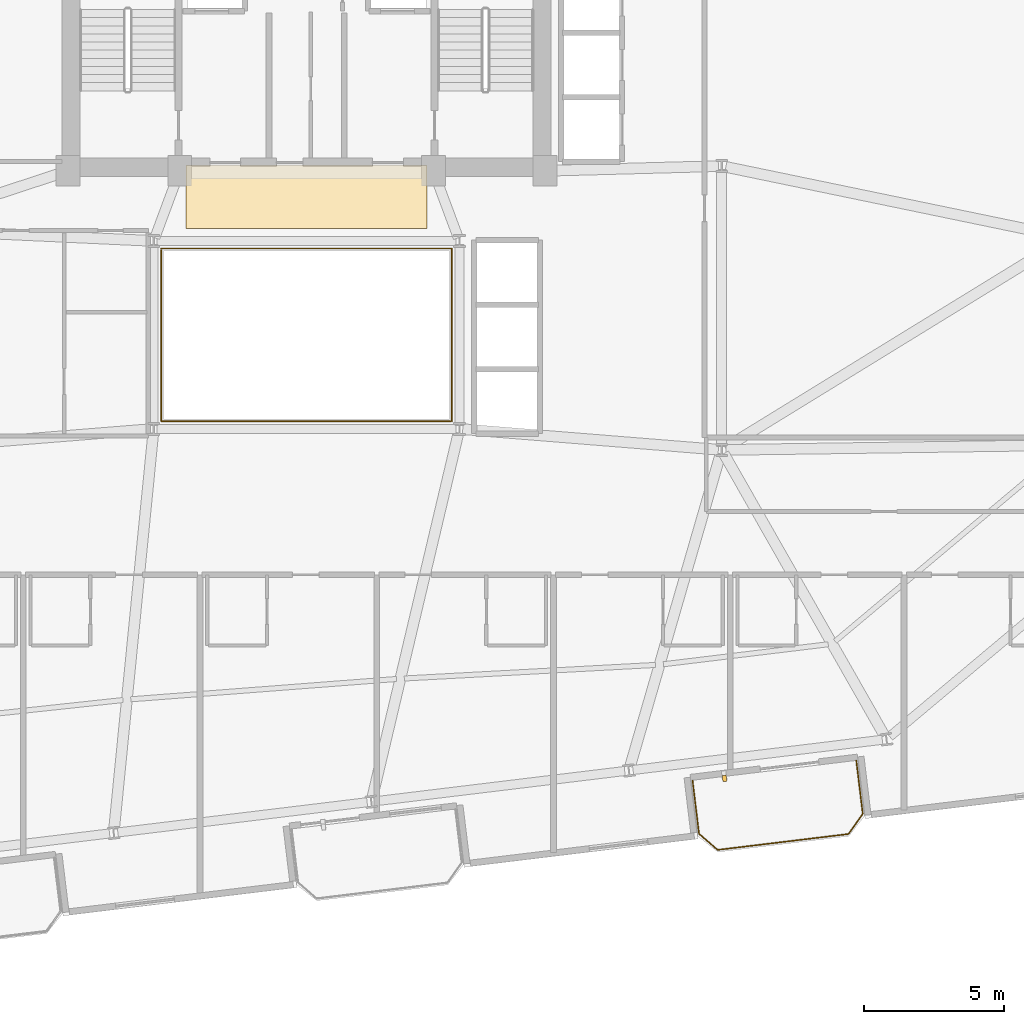
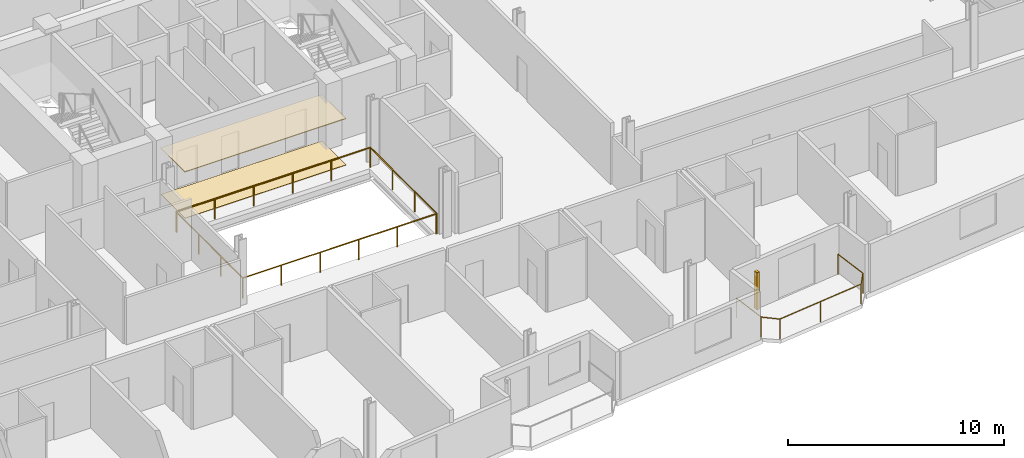
# One storey, part 21 of 23: 3 railings, 2 coverings, 1 shading device.
"""IFC4 building model written with IfcOpenShell, lengths in metres."""

import ifcopenshell
import ifcopenshell.guid

model = None  # the IFC model being written
_history = None  # IfcOwnerHistory: only IFC2X3 demands one
_inside = {}  # id of a spatial element -> (the spatial element, [elements in it])
_under = {}  # id of a project, library or spatial element -> (it, [spatial elements below it])
_declared = {}  # id of a project -> (the project, [libraries it declares])
_typed = {}  # id of a type object -> (the type object, [elements of that type])
_made_of = {}  # id of a material, layer set ... -> (it, [elements and type objects made of it])


def new_model(schema):
    """Start an empty IFC model of exactly this schema.

    Asked for "IFC4X3", IfcOpenShell would pick the latest addendum, in which some entities
    have other attributes; the version numbers below select the first issue.
    IFC2X3 requires an IfcOwnerHistory on every rooted entity: one is made here for all.
    """
    global model, _history
    if schema == "IFC4X3":
        model = ifcopenshell.file(schema_version=(4, 3, 0, 0))
    else:
        model = ifcopenshell.file(schema=schema)
    _inside.clear()
    _under.clear()
    _declared.clear()
    _typed.clear()
    _made_of.clear()
    _history = None
    if model.schema == "IFC2X3":
        org = make("IfcOrganization", Name="unknown")
        user = make(
            "IfcPersonAndOrganization",
            ThePerson=make("IfcPerson", FamilyName="unknown"),
            TheOrganization=org,
        )
        app = make(
            "IfcApplication",
            ApplicationDeveloper=org,
            Version="unknown",
            ApplicationFullName="unknown",
            ApplicationIdentifier="unknown",
        )
        _history = make(
            "IfcOwnerHistory",
            OwningUser=user,
            OwningApplication=app,
            ChangeAction="ADDED",
            CreationDate=0,
        )
    return model


def make(cls, **values):
    """One entity of the class cls with the attributes given. An attribute that is None is left unset."""
    return model.create_entity(
        cls, **{name: value for name, value in values.items() if value is not None}
    )


def rooted(cls, **values):
    """An entity with a GlobalId (a new one), such as an element, a storey or a relation."""
    return make(cls, GlobalId=ifcopenshell.guid.new(), OwnerHistory=_history, **values)


def si_unit(unit_type, name, prefix=None):
    """IfcSIUnit, for example si_unit("LENGTHUNIT", "METRE", prefix="MILLI")."""
    return make("IfcSIUnit", UnitType=unit_type, Prefix=prefix, Name=name)


def assignment(units):
    """IfcUnitAssignment: the units of a project."""
    return None if units is None else make("IfcUnitAssignment", Units=units)


def point(xyz):
    """IfcCartesianPoint."""
    return None if xyz is None else make("IfcCartesianPoint", Coordinates=xyz)


def direction(xyz):
    """IfcDirection."""
    return None if xyz is None else make("IfcDirection", DirectionRatios=xyz)


def frame(location, z_axis=None, x_axis=None):
    """IfcAxis2Placement3D, a coordinate frame: its origin and axes. An axis left out is left unset."""
    return make(
        "IfcAxis2Placement3D",
        Location=point(location),
        Axis=direction(z_axis),
        RefDirection=direction(x_axis),
    )


def frame_2d(location, x_axis=None):
    """IfcAxis2Placement2D, a coordinate frame in the plane: its origin and x axis."""
    return make(
        "IfcAxis2Placement2D", Location=point(location), RefDirection=direction(x_axis)
    )


def origin():
    """The frame at (0, 0, 0) with its axes left unset."""
    return frame((0.0, 0.0, 0.0))


def origin_2d():
    """The frame at (0, 0) in the plane with its x axis left unset."""
    return frame_2d((0.0, 0.0))


def place(relative_to, where):
    """IfcLocalPlacement: puts the frame where relative to a parent placement (None: the world)."""
    return make(
        "IfcLocalPlacement", PlacementRelTo=relative_to, RelativePlacement=where
    )


def context(
    kind, dimensions, precision=None, world=None, true_north=None, identifier=None
):
    """IfcGeometricRepresentationContext, for example the 3D "Model" context."""
    return make(
        "IfcGeometricRepresentationContext",
        ContextIdentifier=identifier,
        ContextType=kind,
        CoordinateSpaceDimension=dimensions,
        Precision=precision,
        WorldCoordinateSystem=world,
        TrueNorth=true_north,
    )


def subcontext(parent, identifier, kind, view, scale=None):
    """IfcGeometricRepresentationSubContext, for example "Body" below "Model"."""
    return make(
        "IfcGeometricRepresentationSubContext",
        ContextIdentifier=identifier,
        ContextType=kind,
        ParentContext=parent,
        TargetScale=scale,
        TargetView=view,
    )


def project(units=None, contexts=None):
    """IfcProject with its units and contexts."""
    return rooted(
        "IfcProject",
        Name="project",
        RepresentationContexts=contexts,
        UnitsInContext=assignment(units),
    )


def spatial(cls, under=None, at=None, **own):
    """A site, building, storey or space (cls), placed at a placement, below another one or the project."""
    s = rooted(cls, ObjectPlacement=at, **own)
    if under is not None:
        _under.setdefault(under.id(), (under, []))[1].append(s)
    return s


def profile(cls, at=None, kind="AREA", **sizes):
    """A parametric profile (cls). Its sizes go by their IFC names, for example OverallWidth=200.0."""
    return make(cls, ProfileType=kind, Position=at, **sizes)


def rectangle(**sizes):
    """IfcRectangleProfileDef."""
    return profile("IfcRectangleProfileDef", **sizes)


def circle(**sizes):
    """IfcCircleProfileDef."""
    return profile("IfcCircleProfileDef", **sizes)


def extrude(swept, where, along, depth):
    """IfcExtrudedAreaSolid: the profile swept, set in the frame where, extruded along a direction by depth."""
    return make(
        "IfcExtrudedAreaSolid",
        SweptArea=swept,
        Position=where,
        ExtrudedDirection=direction(along),
        Depth=depth,
    )


def shape(context_of_items, identifier, shape_type, items):
    """IfcShapeRepresentation: the items that make up one representation, for example the "Body"."""
    return make(
        "IfcShapeRepresentation",
        ContextOfItems=context_of_items,
        RepresentationIdentifier=identifier,
        RepresentationType=shape_type,
        Items=items,
    )


def source(mapping_origin, context_of_items, identifier, shape_type, items):
    """IfcRepresentationMap: a shape defined once, which mapped items show again and again."""
    return make(
        "IfcRepresentationMap",
        MappingOrigin=mapping_origin,
        MappedRepresentation=shape(context_of_items, identifier, shape_type, items),
    )


def transform(
    local_origin,
    x_axis=None,
    y_axis=None,
    z_axis=None,
    scale=None,
    scale2=None,
    scale3=None,
    uniform=True,
):
    """IfcCartesianTransformationOperator3D, or its non-uniform kind. x_axis, y_axis, z_axis: its Axis1, 2, 3."""
    if uniform:
        return make(
            "IfcCartesianTransformationOperator3D",
            Axis1=direction(x_axis),
            Axis2=direction(y_axis),
            LocalOrigin=point(local_origin),
            Scale=scale,
            Axis3=direction(z_axis),
        )
    return make(
        "IfcCartesianTransformationOperator3DnonUniform",
        Axis1=direction(x_axis),
        Axis2=direction(y_axis),
        LocalOrigin=point(local_origin),
        Scale=scale,
        Axis3=direction(z_axis),
        Scale2=scale2,
        Scale3=scale3,
    )


def mapped(mapping_source, mapping_target):
    """IfcMappedItem: shows the shape of a source again, moved by a transform."""
    return make(
        "IfcMappedItem", MappingSource=mapping_source, MappingTarget=mapping_target
    )


def material(Name=None, Category=None):
    """IfcMaterial."""
    return make("IfcMaterial", Name=Name, Category=Category)


def layer(
    of_material, thickness, ventilated=None, Name=None, Category=None, Priority=None
):
    """IfcMaterialLayer: one layer of a wall or slab, of a material (None: an air gap)."""
    return make(
        "IfcMaterialLayer",
        Material=of_material,
        LayerThickness=thickness,
        IsVentilated=ventilated,
        Name=Name,
        Category=Category,
        Priority=Priority,
    )


def layer_set(layers, Name=None):
    """IfcMaterialLayerSet."""
    return make("IfcMaterialLayerSet", MaterialLayers=layers, LayerSetName=Name)


def made_of(thing, what):
    """Note that an element or type object is made of a material, layer set ...; save() writes the relation."""
    if what is not None:
        _made_of.setdefault(what.id(), (what, []))[1].append(thing)
    return thing


def type_object(cls, material=None, **own):
    """A type object (cls), such as IfcWallType, which elements share."""
    return made_of(rooted(cls, **own), material)


def element(
    cls,
    number,
    at=None,
    inside=None,
    cuts=None,
    type_object=None,
    material=None,
    context=None,
    identifier="Body",
    shape_type=None,
    held_by="IfcProductDefinitionShape",
    body=None,
    shapes=None,
    **own,
):
    """One element of the class cls, such as IfcWall. Its Tag is "e" and its number.

    at: its placement. inside: the storey or other place that contains it. cuts: it is an
    opening in that element (IfcRelVoidsElement). A single representation is given by context,
    identifier, shape_type and body (its items); several are given by shapes. held_by: the class
    of the entity that holds the representations. save() writes the other relations.
    """
    e = rooted(cls, Tag="e%d" % number, ObjectPlacement=at, **own)
    if body is not None:
        shapes = [shape(context, identifier, shape_type, body)]
    if shapes is not None:
        e.Representation = make(held_by, Representations=shapes)
    if inside is not None:
        _inside.setdefault(inside.id(), (inside, []))[1].append(e)
    if cuts is not None:
        rooted(
            "IfcRelVoidsElement", RelatingBuildingElement=cuts, RelatedOpeningElement=e
        )
    if type_object is not None:
        _typed.setdefault(type_object.id(), (type_object, []))[1].append(e)
    return made_of(e, material)


def aggregate(whole, parts):
    """IfcRelAggregates: a whole, such as a stair, and the parts it consists of."""
    return rooted("IfcRelAggregates", RelatingObject=whole, RelatedObjects=parts)


def save(model, path):
    """Write the relations noted so far, then the file.

    IfcRelAggregates (storeys below a building ...), IfcRelContainedInSpatialStructure (elements
    in a storey), IfcRelDefinesByType, IfcRelAssociatesMaterial and IfcRelDeclares: one each for
    every whole, place, type object, material and project.
    """
    for whole, parts in _under.values():
        aggregate(whole, parts)
    for where, things in _inside.values():
        rooted(
            "IfcRelContainedInSpatialStructure",
            RelatedElements=things,
            RelatingStructure=where,
        )
    for kind, things in _typed.values():
        rooted("IfcRelDefinesByType", RelatedObjects=things, RelatingType=kind)
    for what, things in _made_of.values():
        rooted("IfcRelAssociatesMaterial", RelatedObjects=things, RelatingMaterial=what)
    for by, libraries in _declared.values():
        rooted("IfcRelDeclares", RelatingContext=by, RelatedDefinitions=libraries)
    model.write(path)


model = new_model("IFC4")

# Units and contexts
model_context = context("Model", 3, precision=1e-05, world=origin(), true_north=direction((0.0, 1.0)))
body_context = subcontext(model_context, "Body", "Model", "MODEL_VIEW")
ifc_project = project(units=[si_unit("LENGTHUNIT", "METRE"), si_unit("AREAUNIT", "SQUARE_METRE"), si_unit("VOLUMEUNIT", "CUBIC_METRE"), si_unit("PLANEANGLEUNIT", "RADIAN"), si_unit("MASSUNIT", "GRAM", prefix="KILO")], contexts=[model_context])

# Site, building, storey
site_placement = place(None, origin())
site = spatial("IfcSite", under=ifc_project, at=site_placement, CompositionType="ELEMENT")
building_placement = place(site_placement, origin())
building = spatial("IfcBuilding", under=site, at=building_placement, Name="Varnelok Gate Tower", CompositionType="ELEMENT")
storey_placement = place(building_placement, frame((0.0, 0.0, 200.5)))
storey = spatial("IfcBuildingStorey", under=building, at=storey_placement, Name="L51", CompositionType="ELEMENT", Elevation=200.5)

# Railings
ifc_material_1 = material(Name="Tempered Laminated Balustrade Glass", Category="glass")
railing_type_1 = type_object("IfcRailingType", Name="RL-ATR-GUARD1150", PredefinedType="GUARDRAIL", material=ifc_material_1)
railing_1_placement = place(storey_placement, frame((34.02001953125, 25.929931640625, 0.0)))
element("IfcRailing", 1, at=railing_1_placement, inside=storey, type_object=railing_type_1, Name="L51 Internal Atrium South-West Guardrail", PredefinedType="GUARDRAIL", context=body_context, shape_type="SweptSolid", body=[
    extrude(circle(Radius=0.02392578125, at=origin_2d()), frame((0.0, 0.0, 1.1259765625), z_axis=(0.0, -1.0, 0.0), x_axis=(1.0, 0.0, 0.0)), (0.0, 0.0, 1.0), 6.10986328125),
    extrude(circle(Radius=0.02392578125, at=origin_2d()), frame((0.0, -6.10986328125, 1.1259765625), z_axis=(1.0, 0.0, 0.0), x_axis=(0.0, 1.0, 0.0)), (0.0, 0.0, 1.0), 10.31005859375),
    extrude(circle(Radius=0.02099609375, at=origin_2d()), origin(), (0.0, 0.0, 1.0), 1.101806640625),
    extrude(circle(Radius=0.02099609375, at=origin_2d()), frame((0.0, -2.03662109375, 0.0)), (0.0, 0.0, 1.0), 1.101806640625),
    extrude(circle(Radius=0.02099609375, at=origin_2d()), frame((0.0, -4.0732421875, 0.0)), (0.0, 0.0, 1.0), 1.101806640625),
    extrude(circle(Radius=0.02099609375, at=origin_2d()), frame((0.0, -6.10986328125, 0.0)), (0.0, 0.0, 1.0), 1.101806640625),
    extrude(circle(Radius=0.02099609375, at=origin_2d()), frame((2.06201171875, -6.10986328125, 0.0)), (0.0, 0.0, 1.0), 1.101806640625),
    extrude(circle(Radius=0.02099609375, at=origin_2d()), frame((4.1240234375, -6.10986328125, 0.0)), (0.0, 0.0, 1.0), 1.101806640625),
    extrude(circle(Radius=0.02099609375, at=origin_2d()), frame((6.18603515625, -6.10986328125, 0.0)), (0.0, 0.0, 1.0), 1.101806640625),
    extrude(circle(Radius=0.02099609375, at=origin_2d()), frame((8.248046875, -6.10986328125, 0.0)), (0.0, 0.0, 1.0), 1.101806640625),
    extrude(circle(Radius=0.02099609375, at=origin_2d()), frame((10.31005859375, -6.10986328125, 0.0)), (0.0, 0.0, 1.0), 1.101806640625),
])
railing_2_placement = place(storey_placement, frame((44.3798828125, 19.820068359375, 0.0)))
element("IfcRailing", 2, at=railing_2_placement, inside=storey, type_object=railing_type_1, Name="L51 Internal Atrium North-East Guardrail", PredefinedType="GUARDRAIL", context=body_context, shape_type="SweptSolid", body=[
    extrude(circle(Radius=0.02392578125, at=origin_2d()), frame((0.0, 0.0, 1.1259765625), z_axis=(0.0, 1.0, 0.0), x_axis=(-1.0, 0.0, 0.0)), (0.0, 0.0, 1.0), 6.159912109375),
    extrude(circle(Radius=0.02392578125, at=origin_2d()), frame((0.0, 6.159912109375, 1.1259765625), z_axis=(-1.0, 0.0, 0.0), x_axis=(0.0, -1.0, 0.0)), (0.0, 0.0, 1.0), 10.35986328125),
    extrude(circle(Radius=0.02099609375, at=origin_2d()), origin(), (0.0, 0.0, 1.0), 1.101806640625),
    extrude(circle(Radius=0.02099609375, at=origin_2d()), frame((0.0, 2.05322265625, 0.0)), (0.0, 0.0, 1.0), 1.101806640625),
    extrude(circle(Radius=0.02099609375, at=origin_2d()), frame((0.0, 4.106689453125, 0.0)), (0.0, 0.0, 1.0), 1.101806640625),
    extrude(circle(Radius=0.02099609375, at=origin_2d()), frame((0.0, 6.159912109375, 0.0)), (0.0, 0.0, 1.0), 1.101806640625),
    extrude(circle(Radius=0.02099609375, at=origin_2d()), frame((-2.072021484375, 6.159912109375, 0.0)), (0.0, 0.0, 1.0), 1.101806640625),
    extrude(circle(Radius=0.02099609375, at=origin_2d()), frame((-4.14404296875, 6.159912109375, 0.0)), (0.0, 0.0, 1.0), 1.101806640625),
    extrude(circle(Radius=0.02099609375, at=origin_2d()), frame((-6.2158203125, 6.159912109375, 0.0)), (0.0, 0.0, 1.0), 1.101806640625),
    extrude(circle(Radius=0.02099609375, at=origin_2d()), frame((-8.287841796875, 6.159912109375, 0.0)), (0.0, 0.0, 1.0), 1.101806640625),
    extrude(circle(Radius=0.02099609375, at=origin_2d()), frame((-10.35986328125, 6.159912109375, 0.0)), (0.0, 0.0, 1.0), 1.101806640625),
])
ifc_material_2 = material(Name="Low-E Laminated Double Glazing IGU", Category="glass")
railing_type_2 = type_object("IfcRailingType", Name="RL-BALC-1150", PredefinedType="BALUSTRADE", material=ifc_material_2)
railing_3_placement = place(storey_placement, frame((52.95947265625, 7.023193359375, 0.0)))
element("IfcRailing", 3, at=railing_3_placement, inside=storey, type_object=railing_type_2, Name="L51 South Terrace Balustrade 3", PredefinedType="BALUSTRADE", context=body_context, shape_type="SweptSolid", body=[
    extrude(circle(Radius=0.02392578125, at=origin_2d()), frame((0.0, 0.0, 1.1259765625), z_axis=(0.12040351024, -0.992725034802, 0.0), x_axis=(0.992725034802, 0.12040351024, 0.0)), (0.0, 0.0, 1.0), 1.920166015625),
    extrude(circle(Radius=0.02392578125, at=origin_2d()), frame((0.231201171875, -1.90625, 1.1259765625), z_axis=(0.756303655992, -0.654220742513, 0.0), x_axis=(0.654220742513, 0.756303655992, 0.0)), (0.0, 0.0, 1.0), 0.877685546875),
    extrude(circle(Radius=0.02392578125, at=origin_2d()), frame((0.89501953125, -2.48046875, 1.1259765625), z_axis=(0.99273133746, 0.120351533534, 0.0), x_axis=(-0.120351533534, 0.99273133746, 0.0)), (0.0, 0.0, 1.0), 4.7001953125),
    extrude(circle(Radius=0.02392578125, at=origin_2d()), frame((5.56103515625, -1.914794921875, 1.1259765625), z_axis=(0.577971037086, 0.816057277579, 0.0), x_axis=(-0.816057277579, 0.577971037086, 0.0)), (0.0, 0.0, 1.0), 0.877685546875),
    extrude(circle(Radius=0.02392578125, at=origin_2d()), frame((6.068359375, -1.198486328125, 1.1259765625), z_axis=(-0.120293392036, 0.992738384386, 0.0), x_axis=(-0.992738384386, -0.120293392036, 0.0)), (0.0, 0.0, 1.0), 1.919921875),
    extrude(circle(Radius=0.02099609375, at=origin_2d()), origin(), (0.0, 0.0, 1.0), 1.101806640625),
    extrude(circle(Radius=0.02099609375, at=origin_2d()), frame((0.231201171875, -1.90625, 0.0)), (0.0, 0.0, 1.0), 1.101806640625),
    extrude(circle(Radius=0.02099609375, at=origin_2d()), frame((0.89501953125, -2.48046875, 0.0)), (0.0, 0.0, 1.0), 1.101806640625),
    extrude(circle(Radius=0.02099609375, at=origin_2d()), frame((3.22802734375, -2.19775390625, 0.0)), (0.0, 0.0, 1.0), 1.101806640625),
    extrude(circle(Radius=0.02099609375, at=origin_2d()), frame((5.56103515625, -1.914794921875, 0.0)), (0.0, 0.0, 1.0), 1.101806640625),
    extrude(circle(Radius=0.02099609375, at=origin_2d()), frame((6.068359375, -1.198486328125, 0.0)), (0.0, 0.0, 1.0), 1.101806640625),
    extrude(circle(Radius=0.02099609375, at=origin_2d()), frame((5.83740234375, 0.70751953125, 0.0)), (0.0, 0.0, 1.0), 1.101806640625),
])

# Shading device
ifc_material_3 = material(Name="Glazed Architectural Terracotta Ceramic", Category="masonry")
shading_device_type = type_object("IfcShadingDeviceType", Name="SHD-TERRA-FIN", PredefinedType="USERDEFINED", material=ifc_material_3)
shared_shape_1 = source(origin(), body_context, "Body", "SweptSolid", [
    extrude(rectangle(XDim=0.139892578125, YDim=0.219970703125, at=origin_2d()), origin(), (0.0, 0.0, 1.0), 2.10009765625),
])
shading_device_placement = place(storey_placement, frame((54.099609375, 7.0908203125, 0.099853515625), z_axis=(0.0, 0.0, 1.0), x_axis=(0.992732158755, 0.12034475881, 0.0)))
element("IfcShadingDevice", 4, at=shading_device_placement, inside=storey, type_object=shading_device_type, Name="L51 Terracotta Ceramic Baguette Sunscreen 3.1", ObjectType="BAGUETTE", PredefinedType="USERDEFINED", context=body_context, shape_type="MappedRepresentation", body=[
    mapped(shared_shape_1, transform((0.0, 0.0, 0.0), scale=1.0)),
])

# Coverings
ifc_material_4 = material(Name="Honed Travertine Stone Flooring", Category="masonry")
ifc_layer_1 = layer(ifc_material_4, 0.02490234375)
ifc_layer_set_1 = layer_set([ifc_layer_1], Name="Honed Travertine Stone Flooring")
covering_type_1 = type_object("IfcCoveringType", Name="COV-FLOR-STONE", PredefinedType="FLOORING", material=ifc_layer_set_1)
shared_shape_2 = source(origin(), body_context, "Body", "SweptSolid", [
    extrude(rectangle(XDim=8.60009765625, YDim=2.219970703125, at=origin_2d()), origin(), (0.0, 0.0, 1.0), 0.02490234375),
])
covering_1_placement = place(storey_placement, frame((39.199951171875, 27.800048828125, 0.0), z_axis=(0.0, 0.0, 1.0), x_axis=(1.0, 0.0, 0.0)))
element("IfcCovering", 5, at=covering_1_placement, inside=storey, type_object=covering_type_1, Name="L51 Core Gallery Stone Flooring", PredefinedType="FLOORING", context=body_context, shape_type="MappedRepresentation", body=[
    mapped(shared_shape_2, transform((0.0, 0.0, 0.0), scale=1.0)),
])
ifc_material_5 = material(Name="Mineral Fiber Acoustic Ceiling Tile")
ifc_layer_2 = layer(ifc_material_5, 0.0400390625)
ifc_layer_set_2 = layer_set([ifc_layer_2], Name="Mineral Fiber Acoustic Ceiling Tile")
covering_type_2 = type_object("IfcCoveringType", Name="COV-CEIL-ACOUST", PredefinedType="CEILING", material=ifc_layer_set_2)
shared_shape_3 = source(origin(), body_context, "Body", "SweptSolid", [
    extrude(rectangle(XDim=8.60009765625, YDim=2.239990234375, at=origin_2d()), origin(), (0.0, 0.0, 1.0), 0.0400390625),
])
covering_2_placement = place(storey_placement, frame((39.199951171875, 27.820068359375, 2.60009765625), z_axis=(0.0, 0.0, 1.0), x_axis=(1.0, 0.0, 0.0)))
element("IfcCovering", 6, at=covering_2_placement, inside=storey, type_object=covering_type_2, Name="L51 Core Gallery Acoustic Ceiling", PredefinedType="CEILING", context=body_context, shape_type="MappedRepresentation", body=[
    mapped(shared_shape_3, transform((0.0, 0.0, 0.0), scale=1.0)),
])

save(model, "model.ifc")
